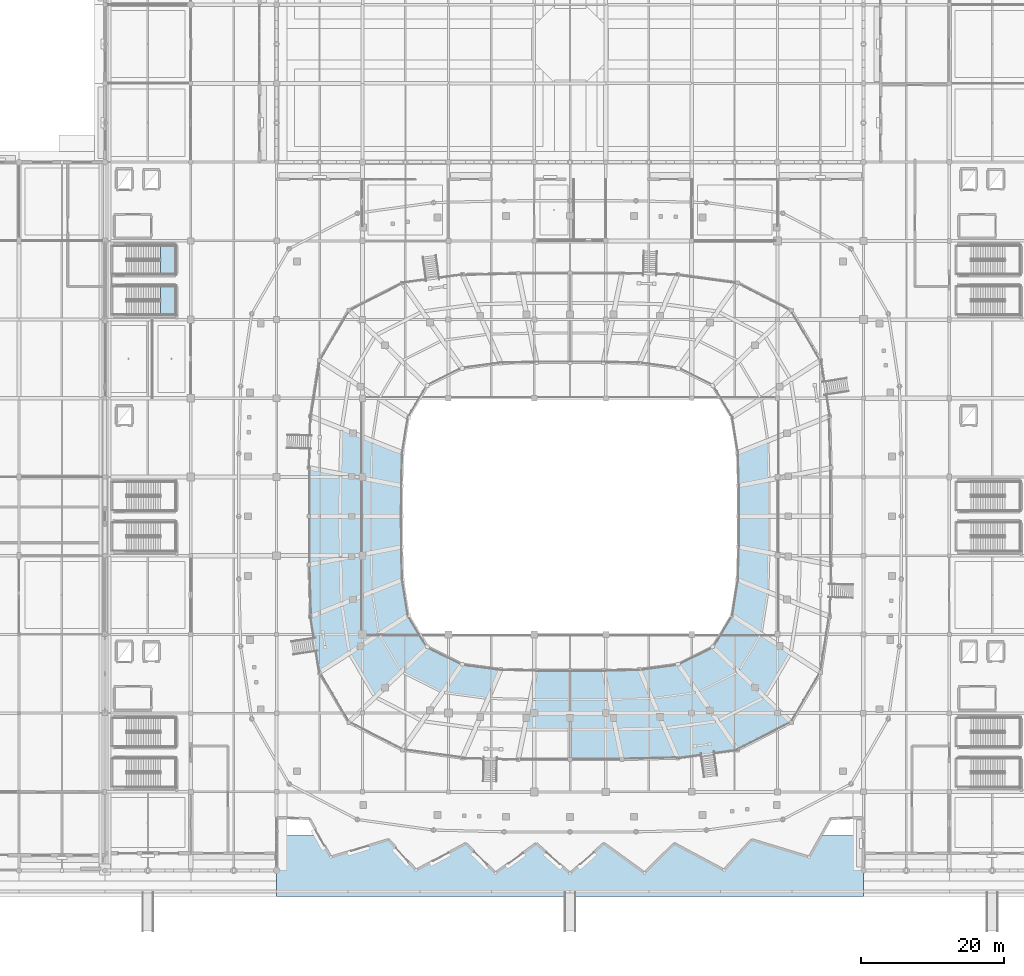
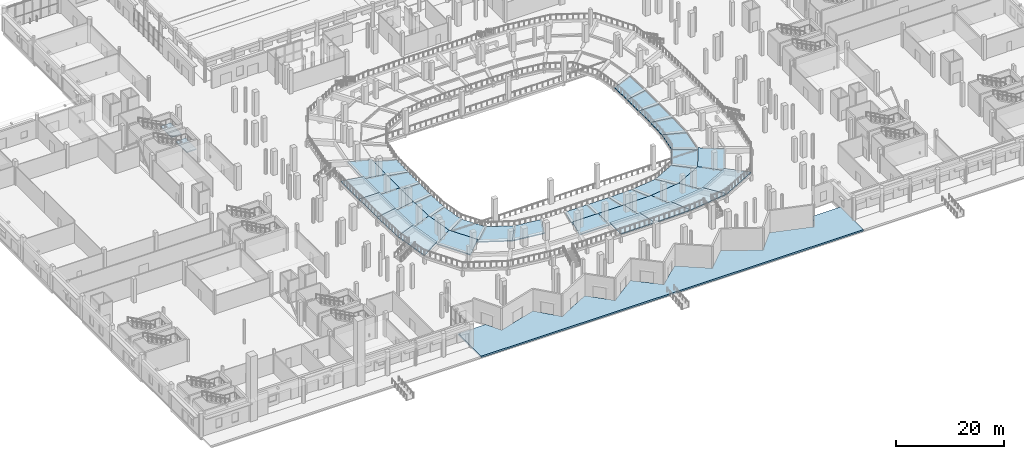
# One storey, part 44 of 120: 42 slabs, 2 elements without a shape of their own.
"""IFC4 building model written with IfcOpenShell, lengths in metres."""

from ifc_helpers import new_model, si_unit, direction, frame, origin, place, context, subcontext, project, spatial, polyline, outline, extrude, material, layer, layer_set, type_object, element, aggregate, save


model = new_model("IFC4")

# Units and contexts
model_context = context("Model", 3, precision=1e-05, world=origin(), true_north=direction((0.0, 1.0)))
body_context = subcontext(model_context, "Body", "Model", "MODEL_VIEW")
ifc_project = project(units=[si_unit("LENGTHUNIT", "METRE"), si_unit("AREAUNIT", "SQUARE_METRE"), si_unit("VOLUMEUNIT", "CUBIC_METRE"), si_unit("PLANEANGLEUNIT", "RADIAN"), si_unit("MASSUNIT", "GRAM", prefix="KILO")], contexts=[model_context])

# Site, building, storey
site_placement = place(None, origin())
site = spatial("IfcSite", under=ifc_project, at=site_placement, CompositionType="ELEMENT")
building_placement = place(site_placement, origin())
building = spatial("IfcBuilding", under=site, at=building_placement, Name="Luwafu Chhajja Arena", CompositionType="ELEMENT")
storey_placement = place(building_placement, origin())
storey = spatial("IfcBuildingStorey", under=building, at=storey_placement, Name="L00", CompositionType="ELEMENT", Elevation=0.0)

# Stair, slab
ifc_material_1 = material(Name="Concrete C35/45", Category="concrete")
stair_type = type_object("IfcStairType", Name="Quadrant Protected Dog-Leg Stair 1920", PredefinedType="HALF_TURN_STAIR", material=ifc_material_1)
stair_1_placement = place(storey_placement, origin())
stair_1 = element("IfcStair", 1, at=stair_1_placement, inside=storey, type_object=stair_type, Name="L00 Protected Escape Stair ST-05", PredefinedType="HALF_TURN_STAIR")
ifc_layer_1 = layer(ifc_material_1, 0.199951171875, Name="Concrete C35/45")
ifc_layer_set_1 = layer_set([ifc_layer_1], Name="Concrete C35/45")
slab_type_1 = type_object("IfcSlabType", Name="Escape Stair Landing Slab 200", PredefinedType="LANDING", material=ifc_layer_set_1)
slab_1_placement = place(storey_placement, frame((0.0, 0.0, 2.5)))
slab_1 = element("IfcSlab", 2, at=slab_1_placement, type_object=slab_type_1, Name="ST-05 landing 1", PredefinedType="LANDING", context=body_context, shape_type="SweptSolid", body=[
    extrude(outline(polyline([(41.780029296875, 77.64990234375), (43.89990234375, 77.64990234375), (43.89990234375, 81.68994140625), (41.780029296875, 81.68994140625), (41.780029296875, 77.64990234375)])), origin(), (0.0, 0.0, 1.0), 0.199951171875),
])
aggregate(stair_1, [slab_1])

stair_2_placement = place(storey_placement, origin())
stair_2 = element("IfcStair", 3, at=stair_2_placement, inside=storey, type_object=stair_type, Name="L00 Protected Escape Stair ST-06", PredefinedType="HALF_TURN_STAIR")
slab_2_placement = place(storey_placement, frame((0.0, 0.0, 2.5)))
slab_2 = element("IfcSlab", 4, at=slab_2_placement, type_object=slab_type_1, Name="ST-06 landing 1", PredefinedType="LANDING", context=body_context, shape_type="SweptSolid", body=[
    extrude(outline(polyline([(41.780029296875, 83.31005859375), (43.89990234375, 83.31005859375), (43.89990234375, 87.35009765625), (41.780029296875, 87.35009765625), (41.780029296875, 83.31005859375)])), origin(), (0.0, 0.0, 1.0), 0.199951171875),
])
aggregate(stair_2, [slab_2])

# Slabs
ifc_material_2 = material(Name="Precast concrete C40/50", Category="concrete")
ifc_layer_2 = layer(ifc_material_2, 0.219970703125, Name="Precast concrete C40/50")
ifc_layer_set_2 = layer_set([ifc_layer_2], Name="Precast concrete C40/50")
slab_type_2 = type_object("IfcSlabType", Name="Precast Lower Seating Tier Slab 220", PredefinedType="USERDEFINED", material=ifc_layer_set_2)
slab_3_placement = place(storey_placement, frame((0.0, 0.0, 0.6298828125)))
element("IfcSlab", 5, at=slab_3_placement, inside=storey, type_object=slab_type_2, Name="Stand Lower Tier Sector 01 Row Band 1", ObjectType="SEATING TIER", PredefinedType="USERDEFINED", context=body_context, shape_type="SweptSolid", body=[
    extrude(outline(polyline([(122.5, 49.5), (122.49365234375, 53.775390625), (126.79248046875, 54.5908203125), (126.800048828125, 49.5), (122.5, 49.5)])), origin(), (0.0, 0.0, 1.0), 0.22021484375),
])
slab_4_placement = place(storey_placement, frame((0.0, 0.0, 0.6298828125)))
element("IfcSlab", 6, at=slab_4_placement, inside=storey, type_object=slab_type_2, Name="Stand Lower Tier Sector 02 Row Band 1", ObjectType="SEATING TIER", PredefinedType="USERDEFINED", context=body_context, shape_type="SweptSolid", body=[
    extrude(outline(polyline([(122.49365234375, 53.775390625), (122.364013671875, 58.35400390625), (126.63916015625, 60.04248046875), (126.79248046875, 54.5908203125), (122.49365234375, 53.775390625)])), origin(), (0.0, 0.0, 1.0), 0.22021484375),
])
slab_5_placement = place(storey_placement, frame((0.0, 0.0, 0.6298828125)))
element("IfcSlab", 7, at=slab_5_placement, inside=storey, type_object=slab_type_2, Name="Stand Lower Tier Sector 15 Row Band 1", ObjectType="SEATING TIER", PredefinedType="USERDEFINED", context=body_context, shape_type="SweptSolid", body=[
    extrude(outline(polyline([(75.635986328125, 58.35400390625), (75.50634765625, 53.775390625), (71.20751953125, 54.5908203125), (71.36083984375, 60.04248046875), (75.635986328125, 58.35400390625)])), origin(), (0.0, 0.0, 1.0), 0.22021484375),
])
slab_6_placement = place(storey_placement, frame((0.0, 0.0, 1.1298828125)))
element("IfcSlab", 8, at=slab_6_placement, inside=storey, type_object=slab_type_2, Name="Stand Lower Tier Sector 15 Row Band 2", ObjectType="SEATING TIER", PredefinedType="USERDEFINED", context=body_context, shape_type="SweptSolid", body=[
    extrude(outline(polyline([(71.36083984375, 60.04248046875), (71.20751953125, 54.5908203125), (66.90869140625, 55.426025390625), (67.085693359375, 61.772216796875), (71.36083984375, 60.04248046875)])), origin(), (0.0, 0.0, 1.0), 0.22021484375),
])
slab_7_placement = place(storey_placement, frame((0.0, 0.0, 0.6298828125)))
element("IfcSlab", 9, at=slab_7_placement, inside=storey, type_object=slab_type_2, Name="Stand Lower Tier Sector 16 Row Band 1", ObjectType="SEATING TIER", PredefinedType="USERDEFINED", context=body_context, shape_type="SweptSolid", body=[
    extrude(outline(polyline([(75.50634765625, 53.775390625), (75.5, 49.5), (71.199951171875, 49.5), (71.20751953125, 54.5908203125), (75.50634765625, 53.775390625)])), origin(), (0.0, 0.0, 1.0), 0.22021484375),
])
slab_8_placement = place(storey_placement, frame((0.0, 0.0, 1.1298828125)))
element("IfcSlab", 10, at=slab_8_placement, inside=storey, type_object=slab_type_2, Name="Stand Lower Tier Sector 16 Row Band 2", ObjectType="SEATING TIER", PredefinedType="USERDEFINED", context=body_context, shape_type="SweptSolid", body=[
    extrude(outline(polyline([(71.20751953125, 54.5908203125), (71.199951171875, 49.5), (66.89990234375, 49.5), (66.90869140625, 55.426025390625), (71.20751953125, 54.5908203125)])), origin(), (0.0, 0.0, 1.0), 0.22021484375),
])
slab_9_placement = place(storey_placement, frame((0.0, 0.0, 1.6298828125)))
element("IfcSlab", 11, at=slab_9_placement, inside=storey, type_object=slab_type_2, Name="Stand Lower Tier Sector 16 Row Band 3", ObjectType="SEATING TIER", PredefinedType="USERDEFINED", context=body_context, shape_type="SweptSolid", body=[
    extrude(outline(polyline([(66.90869140625, 55.426025390625), (66.89990234375, 49.5), (62.5, 49.5), (62.509765625, 56.26123046875), (66.90869140625, 55.426025390625)])), origin(), (0.0, 0.0, 1.0), 0.22021484375),
])
slab_10_placement = place(storey_placement, frame((0.0, 0.0, 0.6298828125)))
element("IfcSlab", 12, at=slab_10_placement, inside=storey, type_object=slab_type_2, Name="Stand Lower Tier Sector 17 Row Band 1", ObjectType="SEATING TIER", PredefinedType="USERDEFINED", context=body_context, shape_type="SweptSolid", body=[
    extrude(outline(polyline([(75.5, 49.5), (75.50634765625, 45.224609375), (71.20751953125, 44.4091796875), (71.199951171875, 49.5), (75.5, 49.5)])), origin(), (0.0, 0.0, 1.0), 0.22021484375),
])
slab_11_placement = place(storey_placement, frame((0.0, 0.0, 1.1298828125)))
element("IfcSlab", 13, at=slab_11_placement, inside=storey, type_object=slab_type_2, Name="Stand Lower Tier Sector 17 Row Band 2", ObjectType="SEATING TIER", PredefinedType="USERDEFINED", context=body_context, shape_type="SweptSolid", body=[
    extrude(outline(polyline([(71.199951171875, 49.5), (71.20751953125, 44.4091796875), (66.90869140625, 43.573974609375), (66.89990234375, 49.5), (71.199951171875, 49.5)])), origin(), (0.0, 0.0, 1.0), 0.22021484375),
])
slab_12_placement = place(storey_placement, frame((0.0, 0.0, 1.6298828125)))
element("IfcSlab", 14, at=slab_12_placement, inside=storey, type_object=slab_type_2, Name="Stand Lower Tier Sector 17 Row Band 3", ObjectType="SEATING TIER", PredefinedType="USERDEFINED", context=body_context, shape_type="SweptSolid", body=[
    extrude(outline(polyline([(66.89990234375, 49.5), (66.90869140625, 43.573974609375), (62.509765625, 42.73876953125), (62.5, 49.5), (66.89990234375, 49.5)])), origin(), (0.0, 0.0, 1.0), 0.22021484375),
])
slab_13_placement = place(storey_placement, frame((0.0, 0.0, 0.6298828125)))
element("IfcSlab", 15, at=slab_13_placement, inside=storey, type_object=slab_type_2, Name="Stand Lower Tier Sector 18 Row Band 1", ObjectType="SEATING TIER", PredefinedType="USERDEFINED", context=body_context, shape_type="SweptSolid", body=[
    extrude(outline(polyline([(75.50634765625, 45.224609375), (75.635986328125, 40.64599609375), (71.36083984375, 38.95751953125), (71.20751953125, 44.4091796875), (75.50634765625, 45.224609375)])), origin(), (0.0, 0.0, 1.0), 0.22021484375),
])
slab_14_placement = place(storey_placement, frame((0.0, 0.0, 1.1298828125)))
element("IfcSlab", 16, at=slab_14_placement, inside=storey, type_object=slab_type_2, Name="Stand Lower Tier Sector 18 Row Band 2", ObjectType="SEATING TIER", PredefinedType="USERDEFINED", context=body_context, shape_type="SweptSolid", body=[
    extrude(outline(polyline([(71.20751953125, 44.4091796875), (71.36083984375, 38.95751953125), (67.085693359375, 37.227783203125), (66.90869140625, 43.573974609375), (71.20751953125, 44.4091796875)])), origin(), (0.0, 0.0, 1.0), 0.22021484375),
])
slab_15_placement = place(storey_placement, frame((0.0, 0.0, 1.6298828125)))
element("IfcSlab", 17, at=slab_15_placement, inside=storey, type_object=slab_type_2, Name="Stand Lower Tier Sector 18 Row Band 3", ObjectType="SEATING TIER", PredefinedType="USERDEFINED", context=body_context, shape_type="SweptSolid", body=[
    extrude(outline(polyline([(66.90869140625, 43.573974609375), (67.085693359375, 37.227783203125), (62.711181640625, 35.498291015625), (62.509765625, 42.73876953125), (66.90869140625, 43.573974609375)])), origin(), (0.0, 0.0, 1.0), 0.22021484375),
])
slab_16_placement = place(storey_placement, frame((0.0, 0.0, 0.6298828125)))
element("IfcSlab", 18, at=slab_16_placement, inside=storey, type_object=slab_type_2, Name="Stand Lower Tier Sector 19 Row Band 1", ObjectType="SEATING TIER", PredefinedType="USERDEFINED", context=body_context, shape_type="SweptSolid", body=[
    extrude(outline(polyline([(75.635986328125, 40.64599609375), (76.42578125, 35.7001953125), (72.295166015625, 33.068603515625), (71.36083984375, 38.95751953125), (75.635986328125, 40.64599609375)])), origin(), (0.0, 0.0, 1.0), 0.22021484375),
])
slab_17_placement = place(storey_placement, frame((0.0, 0.0, 1.1298828125)))
element("IfcSlab", 19, at=slab_17_placement, inside=storey, type_object=slab_type_2, Name="Stand Lower Tier Sector 19 Row Band 2", ObjectType="SEATING TIER", PredefinedType="USERDEFINED", context=body_context, shape_type="SweptSolid", body=[
    extrude(outline(polyline([(71.36083984375, 38.95751953125), (72.295166015625, 33.068603515625), (68.16455078125, 30.372802734375), (67.085693359375, 37.227783203125), (71.36083984375, 38.95751953125)])), origin(), (0.0, 0.0, 1.0), 0.22021484375),
])
slab_18_placement = place(storey_placement, frame((0.0, 0.0, 1.6298828125)))
element("IfcSlab", 20, at=slab_18_placement, inside=storey, type_object=slab_type_2, Name="Stand Lower Tier Sector 19 Row Band 3", ObjectType="SEATING TIER", PredefinedType="USERDEFINED", context=body_context, shape_type="SweptSolid", body=[
    extrude(outline(polyline([(67.085693359375, 37.227783203125), (68.16455078125, 30.372802734375), (63.93798828125, 27.677001953125), (62.711181640625, 35.498291015625), (67.085693359375, 37.227783203125)])), origin(), (0.0, 0.0, 1.0), 0.22021484375),
])
slab_19_placement = place(storey_placement, frame((0.0, 0.0, 0.6298828125)))
element("IfcSlab", 21, at=slab_19_placement, inside=storey, type_object=slab_type_2, Name="Stand Lower Tier Sector 20 Row Band 1", ObjectType="SEATING TIER", PredefinedType="USERDEFINED", context=body_context, shape_type="SweptSolid", body=[
    extrude(outline(polyline([(76.42578125, 35.7001953125), (79.0751953125, 31.27099609375), (75.429443359375, 27.794677734375), (72.295166015625, 33.068603515625), (76.42578125, 35.7001953125)])), origin(), (0.0, 0.0, 1.0), 0.22021484375),
])
slab_20_placement = place(storey_placement, frame((0.0, 0.0, 1.1298828125)))
element("IfcSlab", 22, at=slab_20_placement, inside=storey, type_object=slab_type_2, Name="Stand Lower Tier Sector 20 Row Band 2", ObjectType="SEATING TIER", PredefinedType="USERDEFINED", context=body_context, shape_type="SweptSolid", body=[
    extrude(outline(polyline([(72.295166015625, 33.068603515625), (75.429443359375, 27.794677734375), (71.78369140625, 24.233642578125), (68.16455078125, 30.372802734375), (72.295166015625, 33.068603515625)])), origin(), (0.0, 0.0, 1.0), 0.22021484375),
])
slab_21_placement = place(storey_placement, frame((0.0, 0.0, 0.6298828125)))
element("IfcSlab", 23, at=slab_21_placement, inside=storey, type_object=slab_type_2, Name="Stand Lower Tier Sector 21 Row Band 1", ObjectType="SEATING TIER", PredefinedType="USERDEFINED", context=body_context, shape_type="SweptSolid", body=[
    extrude(outline(polyline([(79.0751953125, 31.27099609375), (83.91650390625, 28.846923828125), (81.156494140625, 24.908447265625), (75.429443359375, 27.794677734375), (79.0751953125, 31.27099609375)])), origin(), (0.0, 0.0, 1.0), 0.22021484375),
])
slab_22_placement = place(storey_placement, frame((0.0, 0.0, 0.6298828125)))
element("IfcSlab", 24, at=slab_22_placement, inside=storey, type_object=slab_type_2, Name="Stand Lower Tier Sector 22 Row Band 1", ObjectType="SEATING TIER", PredefinedType="USERDEFINED", context=body_context, shape_type="SweptSolid", body=[
    extrude(outline(polyline([(83.91650390625, 28.846923828125), (89.322265625, 28.12451171875), (87.551513671875, 24.048095703125), (81.156494140625, 24.908447265625), (83.91650390625, 28.846923828125)])), origin(), (0.0, 0.0, 1.0), 0.22021484375),
])
slab_23_placement = place(storey_placement, frame((0.0, 0.0, 0.6298828125)))
element("IfcSlab", 25, at=slab_23_placement, inside=storey, type_object=slab_type_2, Name="Stand Lower Tier Sector 24 Row Band 1", ObjectType="SEATING TIER", PredefinedType="USERDEFINED", context=body_context, shape_type="SweptSolid", body=[
    extrude(outline(polyline([(94.326904296875, 28.005859375), (99.0, 28.0), (99.0, 23.89990234375), (93.4716796875, 23.906982421875), (94.326904296875, 28.005859375)])), origin(), (0.0, 0.0, 1.0), 0.22021484375),
])
slab_24_placement = place(storey_placement, frame((0.0, 0.0, 1.1298828125)))
element("IfcSlab", 26, at=slab_24_placement, inside=storey, type_object=slab_type_2, Name="Stand Lower Tier Sector 24 Row Band 2", ObjectType="SEATING TIER", PredefinedType="USERDEFINED", context=body_context, shape_type="SweptSolid", body=[
    extrude(outline(polyline([(93.4716796875, 23.906982421875), (99.0, 23.89990234375), (99.0, 19.699951171875), (92.61669921875, 19.7080078125), (93.4716796875, 23.906982421875)])), origin(), (0.0, 0.0, 1.0), 0.22021484375),
])
slab_25_placement = place(storey_placement, frame((0.0, 0.0, 0.6298828125)))
element("IfcSlab", 27, at=slab_25_placement, inside=storey, type_object=slab_type_2, Name="Stand Lower Tier Sector 25 Row Band 1", ObjectType="SEATING TIER", PredefinedType="USERDEFINED", context=body_context, shape_type="SweptSolid", body=[
    extrude(outline(polyline([(99.0, 28.0), (103.673095703125, 28.005859375), (104.5283203125, 23.906982421875), (99.0, 23.89990234375), (99.0, 28.0)])), origin(), (0.0, 0.0, 1.0), 0.22021484375),
])
slab_26_placement = place(storey_placement, frame((0.0, 0.0, 1.1298828125)))
element("IfcSlab", 28, at=slab_26_placement, inside=storey, type_object=slab_type_2, Name="Stand Lower Tier Sector 25 Row Band 2", ObjectType="SEATING TIER", PredefinedType="USERDEFINED", context=body_context, shape_type="SweptSolid", body=[
    extrude(outline(polyline([(99.0, 23.89990234375), (104.5283203125, 23.906982421875), (105.38330078125, 19.7080078125), (99.0, 19.699951171875), (99.0, 23.89990234375)])), origin(), (0.0, 0.0, 1.0), 0.22021484375),
])
slab_27_placement = place(storey_placement, frame((0.0, 0.0, 1.6298828125)))
element("IfcSlab", 29, at=slab_27_placement, inside=storey, type_object=slab_type_2, Name="Stand Lower Tier Sector 25 Row Band 3", ObjectType="SEATING TIER", PredefinedType="USERDEFINED", context=body_context, shape_type="SweptSolid", body=[
    extrude(outline(polyline([(99.0, 19.699951171875), (105.38330078125, 19.7080078125), (106.25830078125, 15.50927734375), (99.0, 15.5), (99.0, 19.699951171875)])), origin(), (0.0, 0.0, 1.0), 0.22021484375),
])
slab_28_placement = place(storey_placement, frame((0.0, 0.0, 0.6298828125)))
element("IfcSlab", 30, at=slab_28_placement, inside=storey, type_object=slab_type_2, Name="Stand Lower Tier Sector 26 Row Band 1", ObjectType="SEATING TIER", PredefinedType="USERDEFINED", context=body_context, shape_type="SweptSolid", body=[
    extrude(outline(polyline([(103.673095703125, 28.005859375), (108.677734375, 28.12451171875), (110.448486328125, 24.048095703125), (104.5283203125, 23.906982421875), (103.673095703125, 28.005859375)])), origin(), (0.0, 0.0, 1.0), 0.22021484375),
])
slab_29_placement = place(storey_placement, frame((0.0, 0.0, 1.1298828125)))
element("IfcSlab", 31, at=slab_29_placement, inside=storey, type_object=slab_type_2, Name="Stand Lower Tier Sector 26 Row Band 2", ObjectType="SEATING TIER", PredefinedType="USERDEFINED", context=body_context, shape_type="SweptSolid", body=[
    extrude(outline(polyline([(104.5283203125, 23.906982421875), (110.448486328125, 24.048095703125), (112.21923828125, 19.87255859375), (105.38330078125, 19.7080078125), (104.5283203125, 23.906982421875)])), origin(), (0.0, 0.0, 1.0), 0.22021484375),
])
slab_30_placement = place(storey_placement, frame((0.0, 0.0, 1.6298828125)))
element("IfcSlab", 32, at=slab_30_placement, inside=storey, type_object=slab_type_2, Name="Stand Lower Tier Sector 26 Row Band 3", ObjectType="SEATING TIER", PredefinedType="USERDEFINED", context=body_context, shape_type="SweptSolid", body=[
    extrude(outline(polyline([(105.38330078125, 19.7080078125), (112.21923828125, 19.87255859375), (114.03125, 15.69677734375), (106.25830078125, 15.50927734375), (105.38330078125, 19.7080078125)])), origin(), (0.0, 0.0, 1.0), 0.22021484375),
])
slab_31_placement = place(storey_placement, frame((0.0, 0.0, 0.6298828125)))
element("IfcSlab", 33, at=slab_31_placement, inside=storey, type_object=slab_type_2, Name="Stand Lower Tier Sector 27 Row Band 1", ObjectType="SEATING TIER", PredefinedType="USERDEFINED", context=body_context, shape_type="SweptSolid", body=[
    extrude(outline(polyline([(108.677734375, 28.12451171875), (114.08349609375, 28.846923828125), (116.843505859375, 24.908447265625), (110.448486328125, 24.048095703125), (108.677734375, 28.12451171875)])), origin(), (0.0, 0.0, 1.0), 0.22021484375),
])
slab_32_placement = place(storey_placement, frame((0.0, 0.0, 1.1298828125)))
element("IfcSlab", 34, at=slab_32_placement, inside=storey, type_object=slab_type_2, Name="Stand Lower Tier Sector 27 Row Band 2", ObjectType="SEATING TIER", PredefinedType="USERDEFINED", context=body_context, shape_type="SweptSolid", body=[
    extrude(outline(polyline([(110.448486328125, 24.048095703125), (116.843505859375, 24.908447265625), (119.603515625, 20.873779296875), (112.21923828125, 19.87255859375), (110.448486328125, 24.048095703125)])), origin(), (0.0, 0.0, 1.0), 0.22021484375),
])
slab_33_placement = place(storey_placement, frame((0.0, 0.0, 1.6298828125)))
element("IfcSlab", 35, at=slab_33_placement, inside=storey, type_object=slab_type_2, Name="Stand Lower Tier Sector 27 Row Band 3", ObjectType="SEATING TIER", PredefinedType="USERDEFINED", context=body_context, shape_type="SweptSolid", body=[
    extrude(outline(polyline([(112.21923828125, 19.87255859375), (119.603515625, 20.873779296875), (122.427734375, 16.83935546875), (114.03125, 15.69677734375), (112.21923828125, 19.87255859375)])), origin(), (0.0, 0.0, 1.0), 0.22021484375),
])
slab_34_placement = place(storey_placement, frame((0.0, 0.0, 0.6298828125)))
element("IfcSlab", 36, at=slab_34_placement, inside=storey, type_object=slab_type_2, Name="Stand Lower Tier Sector 28 Row Band 1", ObjectType="SEATING TIER", PredefinedType="USERDEFINED", context=body_context, shape_type="SweptSolid", body=[
    extrude(outline(polyline([(114.08349609375, 28.846923828125), (118.9248046875, 31.27099609375), (122.570556640625, 27.794677734375), (116.843505859375, 24.908447265625), (114.08349609375, 28.846923828125)])), origin(), (0.0, 0.0, 1.0), 0.22021484375),
])
slab_35_placement = place(storey_placement, frame((0.0, 0.0, 1.1298828125)))
element("IfcSlab", 37, at=slab_35_placement, inside=storey, type_object=slab_type_2, Name="Stand Lower Tier Sector 28 Row Band 2", ObjectType="SEATING TIER", PredefinedType="USERDEFINED", context=body_context, shape_type="SweptSolid", body=[
    extrude(outline(polyline([(116.843505859375, 24.908447265625), (122.570556640625, 27.794677734375), (126.21630859375, 24.233642578125), (119.603515625, 20.873779296875), (116.843505859375, 24.908447265625)])), origin(), (0.0, 0.0, 1.0), 0.22021484375),
])
slab_36_placement = place(storey_placement, frame((0.0, 0.0, 1.6298828125)))
element("IfcSlab", 38, at=slab_36_placement, inside=storey, type_object=slab_type_2, Name="Stand Lower Tier Sector 28 Row Band 3", ObjectType="SEATING TIER", PredefinedType="USERDEFINED", context=body_context, shape_type="SweptSolid", body=[
    extrude(outline(polyline([(119.603515625, 20.873779296875), (126.21630859375, 24.233642578125), (129.947021484375, 20.672607421875), (122.427734375, 16.83935546875), (119.603515625, 20.873779296875)])), origin(), (0.0, 0.0, 1.0), 0.22021484375),
])
slab_37_placement = place(storey_placement, frame((0.0, 0.0, 0.6298828125)))
element("IfcSlab", 39, at=slab_37_placement, inside=storey, type_object=slab_type_2, Name="Stand Lower Tier Sector 29 Row Band 1", ObjectType="SEATING TIER", PredefinedType="USERDEFINED", context=body_context, shape_type="SweptSolid", body=[
    extrude(outline(polyline([(118.9248046875, 31.27099609375), (121.57421875, 35.7001953125), (125.704833984375, 33.068603515625), (122.570556640625, 27.794677734375), (118.9248046875, 31.27099609375)])), origin(), (0.0, 0.0, 1.0), 0.22021484375),
])
slab_38_placement = place(storey_placement, frame((0.0, 0.0, 1.1298828125)))
element("IfcSlab", 40, at=slab_38_placement, inside=storey, type_object=slab_type_2, Name="Stand Lower Tier Sector 29 Row Band 2", ObjectType="SEATING TIER", PredefinedType="USERDEFINED", context=body_context, shape_type="SweptSolid", body=[
    extrude(outline(polyline([(122.570556640625, 27.794677734375), (125.704833984375, 33.068603515625), (129.83544921875, 30.372802734375), (126.21630859375, 24.233642578125), (122.570556640625, 27.794677734375)])), origin(), (0.0, 0.0, 1.0), 0.22021484375),
])
slab_39_placement = place(storey_placement, frame((0.0, 0.0, 0.6298828125)))
element("IfcSlab", 41, at=slab_39_placement, inside=storey, type_object=slab_type_2, Name="Stand Lower Tier Sector 30 Row Band 1", ObjectType="SEATING TIER", PredefinedType="USERDEFINED", context=body_context, shape_type="SweptSolid", body=[
    extrude(outline(polyline([(121.57421875, 35.7001953125), (122.364013671875, 40.64599609375), (126.63916015625, 38.95751953125), (125.704833984375, 33.068603515625), (121.57421875, 35.7001953125)])), origin(), (0.0, 0.0, 1.0), 0.22021484375),
])
slab_40_placement = place(storey_placement, frame((0.0, 0.0, 0.6298828125)))
element("IfcSlab", 42, at=slab_40_placement, inside=storey, type_object=slab_type_2, Name="Stand Lower Tier Sector 31 Row Band 1", ObjectType="SEATING TIER", PredefinedType="USERDEFINED", context=body_context, shape_type="SweptSolid", body=[
    extrude(outline(polyline([(122.364013671875, 40.64599609375), (122.49365234375, 45.224609375), (126.79248046875, 44.4091796875), (126.63916015625, 38.95751953125), (122.364013671875, 40.64599609375)])), origin(), (0.0, 0.0, 1.0), 0.22021484375),
])
slab_41_placement = place(storey_placement, frame((0.0, 0.0, 0.6298828125)))
element("IfcSlab", 43, at=slab_41_placement, inside=storey, type_object=slab_type_2, Name="Stand Lower Tier Sector 32 Row Band 1", ObjectType="SEATING TIER", PredefinedType="USERDEFINED", context=body_context, shape_type="SweptSolid", body=[
    extrude(outline(polyline([(122.49365234375, 45.224609375), (122.5, 49.5), (126.800048828125, 49.5), (126.79248046875, 44.4091796875), (122.49365234375, 45.224609375)])), origin(), (0.0, 0.0, 1.0), 0.22021484375),
])
ifc_layer_3 = layer(ifc_material_1, 0.35009765625, Name="Concrete C35/45")
ifc_layer_set_3 = layer_set([ifc_layer_3], Name="Concrete C35/45")
slab_type_3 = type_object("IfcSlabType", Name="Service Apron Paving Slab 350", PredefinedType="BASESLAB", material=ifc_layer_set_3)
slab_42_placement = place(storey_placement, frame((0.0, 0.0, -0.35009765625)))
element("IfcSlab", 44, at=slab_42_placement, inside=storey, type_object=slab_type_3, Name="L00 Luwafu Forecourt Arrival Plaza 2", PredefinedType="BASESLAB", context=body_context, shape_type="SweptSolid", body=[
    extrude(outline(polyline([(140.0, -3.60009765625), (58.0, -3.60009765625), (58.0048828125, 4.89990234375), (63.873046875, 4.89990234375), (65.570068359375, 1.85791015625), (73.634033203125, 4.31005859375), (77.488037109375, 0.044921875), (84.43310546875, 3.77001953125), (88.5869140625, -0.34912109375), (94.27197265625, 3.782958984375), (99.0, -0.406982421875), (103.72802734375, 3.782958984375), (109.4130859375, -0.34912109375), (113.56689453125, 3.77001953125), (120.511962890625, 0.044921875), (124.365966796875, 4.31005859375), (132.429931640625, 1.85791015625), (134.126953125, 4.89990234375), (139.9951171875, 4.89990234375), (140.0, -3.60009765625)])), origin(), (0.0, 0.0, 1.0), 0.35009765625),
])

save(model, "model.ifc")
